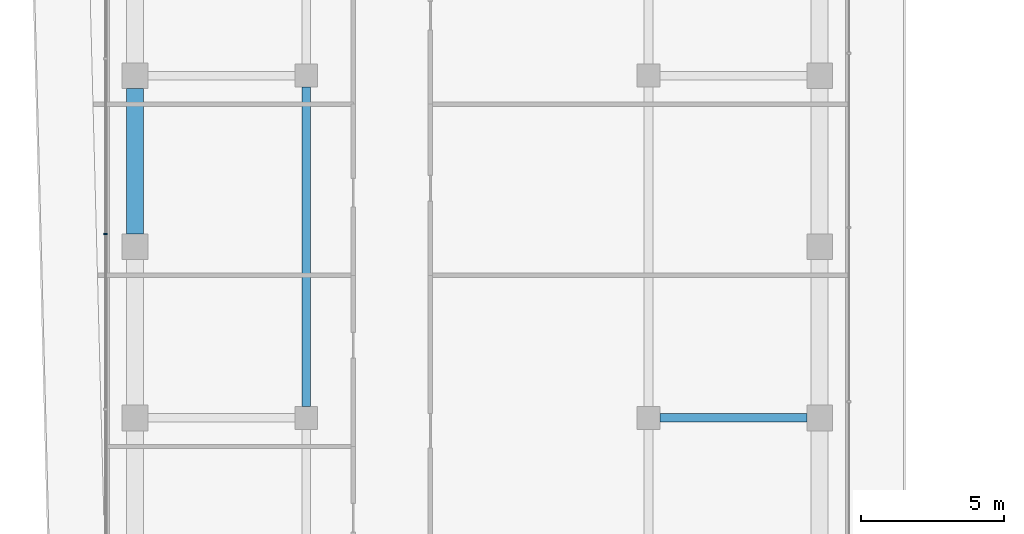
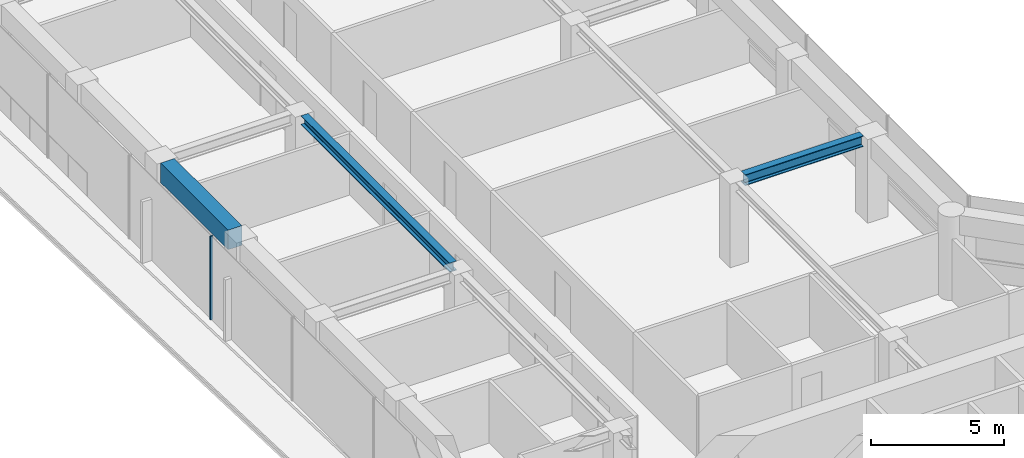
# One storey, part 11 of 23: 3 beams, 1 member, 1 element without a shape of its own.
"""IFC4 building model written with IfcOpenShell, lengths in metres."""

from ifc_helpers import new_model, si_unit, direction, frame, origin, origin_2d, place, context, subcontext, project, spatial, rectangle, i_section, extrude, material, layer, layer_set, material_profile, profile_set, type_object, element, aggregate, save


model = new_model("IFC4")

# Units and contexts
model_context = context("Model", 3, precision=1e-05, world=origin(), true_north=direction((0.0, 1.0)))
body_context = subcontext(model_context, "Body", "Model", "MODEL_VIEW")
ifc_project = project(units=[si_unit("LENGTHUNIT", "METRE"), si_unit("AREAUNIT", "SQUARE_METRE"), si_unit("VOLUMEUNIT", "CUBIC_METRE"), si_unit("PLANEANGLEUNIT", "RADIAN"), si_unit("MASSUNIT", "GRAM", prefix="KILO")], contexts=[model_context])

# Site, building, storey
site_placement = place(None, origin())
site = spatial("IfcSite", under=ifc_project, at=site_placement, CompositionType="ELEMENT")
building_placement = place(site_placement, origin())
building = spatial("IfcBuilding", under=site, at=building_placement, Name="Welwitschia Terrace Campus", CompositionType="ELEMENT")
storey_placement = place(building_placement, frame((0.0, 0.0, 104.60009765625)))
storey = spatial("IfcBuildingStorey", under=building, at=storey_placement, Name="L23", CompositionType="ELEMENT", Elevation=104.60009765625)

# Beam
ifc_material_1 = material(Name="Steel S355", Category="steel")
ifc_material_profile_1 = material_profile(ifc_material_1, i_section(OverallWidth=0.306884765625, OverallDepth=0.431884765625, WebThickness=0.02099609375, FlangeThickness=0.0400390625, FilletRadius=0.027099609375, at=origin_2d()))
ifc_profile_set_1 = profile_set([ifc_material_profile_1], Name="Steel S355")
beam_type_1 = type_object("IfcBeamType", Name="Interior girder HE 400 M", PredefinedType="BEAM", material=ifc_profile_set_1)
beam_1_placement = place(storey_placement, frame((6.0, 40.400390625, 3.6337890625), z_axis=(0.0, 1.0, 0.0), x_axis=(-1.0, 0.0, 0.0)))
element("IfcBeam", 1, at=beam_1_placement, inside=storey, type_object=beam_type_1, Name="Girder GB3", PredefinedType="BEAM", context=body_context, shape_type="SweptSolid", body=[
    extrude(i_section(OverallWidth=0.306884765625, OverallDepth=0.431884765625, WebThickness=0.02099609375, FlangeThickness=0.0400390625, FilletRadius=0.027099609375, at=origin_2d()), origin(), (0.0, 0.0, 1.0), 11.19921875),
])

# Curtain wall, member
ifc_material_2 = material(Name="Bronze anodised aluminium", Category="aluminium")
ifc_layer = layer(ifc_material_2, 0.1201171875)
ifc_layer_set = layer_set([ifc_layer], Name="Bronze anodised aluminium")
curtain_wall_type = type_object("IfcCurtainWallType", Name="Curtain wall CW2 tower 6000", PredefinedType="NOTDEFINED", material=ifc_layer_set)
curtain_wall_placement = place(storey_placement, origin())
curtain_wall = element("IfcCurtainWall", 2, at=curtain_wall_placement, inside=storey, type_object=curtain_wall_type, Name="CW L23.12.0", PredefinedType="NOTDEFINED")
ifc_material_3 = material(Name="Bronze anodised aluminium", Category="aluminium")
ifc_material_profile_2 = material_profile(ifc_material_3, rectangle(XDim=0.1201171875, YDim=0.06005859375, at=origin_2d()))
ifc_profile_set_2 = profile_set([ifc_material_profile_2], Name="Bronze anodised aluminium")
member_type = type_object("IfcMemberType", Name="Mullion 60x120", PredefinedType="MULLION", material=ifc_profile_set_2)
member_placement = place(storey_placement, frame((-1.030029296875, 46.447265625, 0.0), z_axis=(0.0, 0.0, 1.0), x_axis=(1.0, 0.0, 0.0)))
member = element("IfcMember", 3, at=member_placement, type_object=member_type, Name="Mullion L23.12.0.4", PredefinedType="MULLION", context=body_context, shape_type="SweptSolid", body=[
    extrude(rectangle(XDim=0.1201171875, YDim=0.06005859375, at=origin_2d()), origin(), (0.0, 0.0, 1.0), 3.849853515625),
])
aggregate(curtain_wall, [member])

# Beams
ifc_material_4 = material(Name="Steel S355", Category="steel")
ifc_material_profile_3 = material_profile(ifc_material_4, i_section(OverallWidth=0.300048828125, OverallDepth=0.5, WebThickness=0.014404296875, FlangeThickness=0.028076171875, FilletRadius=0.027099609375, at=origin_2d()))
ifc_profile_set_3 = profile_set([ifc_material_profile_3], Name="Steel S355")
beam_type_2 = type_object("IfcBeamType", Name="Primary beam HE 500 B", PredefinedType="BEAM", material=ifc_profile_set_3)
beam_2_placement = place(storey_placement, frame((23.549560546875, 40.0, 3.599853515625), z_axis=(-1.0, 0.0, 0.0), x_axis=(0.0, -1.0, 0.0)))
element("IfcBeam", 4, at=beam_2_placement, inside=storey, type_object=beam_type_2, Name="Primary beam PB3", PredefinedType="BEAM", context=body_context, shape_type="SweptSolid", body=[
    extrude(i_section(OverallWidth=0.300048828125, OverallDepth=0.5, WebThickness=0.014404296875, FlangeThickness=0.028076171875, FilletRadius=0.027099609375, at=origin_2d()), origin(), (0.0, 0.0, 1.0), 5.149169921875),
])
ifc_material_5 = material(Name="Concrete C60/75", Category="concrete")
ifc_material_profile_4 = material_profile(ifc_material_5, rectangle(XDim=0.60009765625, YDim=0.89990234375, at=origin_2d()))
ifc_profile_set_4 = profile_set([ifc_material_profile_4], Name="Concrete C60/75")
beam_type_3 = type_object("IfcBeamType", Name="Ring spandrel 600x900", PredefinedType="SPANDREL", material=ifc_profile_set_4)
beam_3_placement = place(storey_placement, frame((0.0, 51.549560546875, 3.39990234375), z_axis=(0.0, -1.0, 0.0), x_axis=(1.0, 0.0, 0.0)))
element("IfcBeam", 5, at=beam_3_placement, inside=storey, type_object=beam_type_3, Name="Spandrel SP2", PredefinedType="SPANDREL", context=body_context, shape_type="SweptSolid", body=[
    extrude(rectangle(XDim=0.60009765625, YDim=0.89990234375, at=origin_2d()), origin(), (0.0, 0.0, 1.0), 5.09912109375),
])

save(model, "model.ifc")
